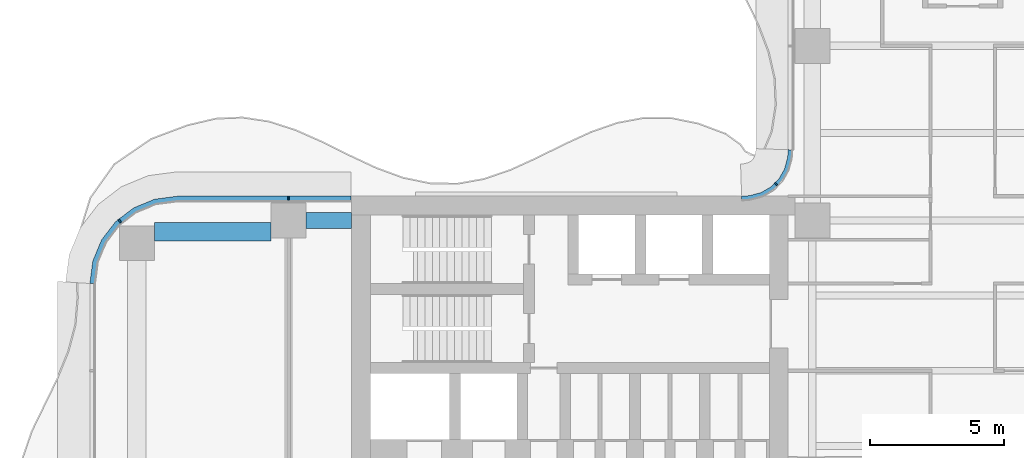
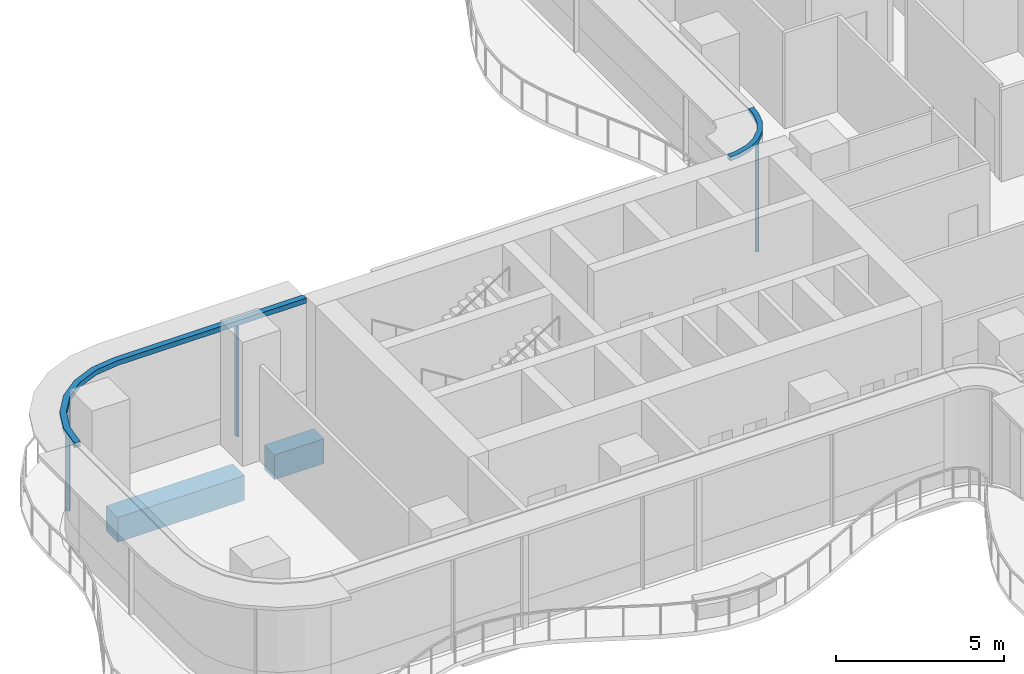
# One storey, part 8 of 23: 5 members, 2 beams, 2 elements without a shape of their own.
"""IFC4 building model written with IfcOpenShell, lengths in metres."""

from ifc_helpers import new_model, si_unit, direction, frame, origin, origin_2d, place, context, subcontext, project, spatial, polyline, rectangle, outline, extrude, source, transform, mapped, material, layer, layer_set, material_profile, profile_set, type_object, element, aggregate, save


model = new_model("IFC4")

# Units and contexts
model_context = context("Model", 3, precision=1e-05, world=origin(), true_north=direction((0.0, 1.0)))
body_context = subcontext(model_context, "Body", "Model", "MODEL_VIEW")
ifc_project = project(units=[si_unit("LENGTHUNIT", "METRE"), si_unit("AREAUNIT", "SQUARE_METRE"), si_unit("VOLUMEUNIT", "CUBIC_METRE"), si_unit("PLANEANGLEUNIT", "RADIAN"), si_unit("MASSUNIT", "GRAM", prefix="KILO")], contexts=[model_context])

# Site, building, storey
site_placement = place(None, origin())
site = spatial("IfcSite", under=ifc_project, at=site_placement, CompositionType="ELEMENT")
building_placement = place(site_placement, origin())
building = spatial("IfcBuilding", under=site, at=building_placement, Name="Trellis Farm Tower", CompositionType="ELEMENT")
storey_placement = place(building_placement, frame((0.0, 0.0, 111.0)))
storey = spatial("IfcBuildingStorey", under=building, at=storey_placement, Name="L23", CompositionType="ELEMENT", Elevation=111.0)

# Beams
ifc_material_1 = material(Name="Concrete C60/75", Category="concrete")
ifc_material_profile_1 = material_profile(ifc_material_1, rectangle(XDim=0.60009765625, YDim=0.89990234375, at=origin_2d()), Name="RC spandrel beam 600x900 C60/75")
ifc_profile_set_1 = profile_set([ifc_material_profile_1], Name="Concrete C60/75")
beam_type_1 = type_object("IfcBeamType", Name="RC spandrel beam 600x900 C60/75", PredefinedType="SPANDREL", material=ifc_profile_set_1)
shared_shape_1 = source(origin(), body_context, "Body", "SweptSolid", [
    extrude(rectangle(XDim=0.60009765625, YDim=0.89990234375, at=origin_2d()), origin(), (0.0, 0.0, 1.0), 1.699951171875),
])
beam_1_placement = place(storey_placement, frame((-24.449951171875, 5.60009765625, -0.699951171875), z_axis=(1.0, 0.0, 0.0), x_axis=(0.0, 1.0, 0.0)))
element("IfcBeam", 1, at=beam_1_placement, inside=storey, type_object=beam_type_1, Name="Girder", PredefinedType="SPANDREL", context=body_context, shape_type="MappedRepresentation", body=[
    mapped(shared_shape_1, transform((0.0, 0.0, 0.0))),
])
ifc_material_profile_2 = material_profile(ifc_material_1, rectangle(XDim=0.699951171875, YDim=0.89990234375, at=origin_2d()), Name="RC spandrel beam 700x900 C60/75")
ifc_profile_set_2 = profile_set([ifc_material_profile_2], Name="Concrete C60/75")
beam_type_2 = type_object("IfcBeamType", Name="RC spandrel beam 700x900 C60/75", PredefinedType="SPANDREL", material=ifc_profile_set_2)
shared_shape_2 = source(origin(), body_context, "Body", "SweptSolid", [
    extrude(rectangle(XDim=0.699951171875, YDim=0.89990234375, at=origin_2d()), origin(), (0.0, 0.0, 1.0), 4.35009765625),
])
beam_2_placement = place(storey_placement, frame((-30.10009765625, 5.175048828125, -0.699951171875), z_axis=(1.0, 0.0, 0.0), x_axis=(0.0, 1.0, 0.0)))
element("IfcBeam", 2, at=beam_2_placement, inside=storey, type_object=beam_type_2, Name="Girder", PredefinedType="SPANDREL", context=body_context, shape_type="MappedRepresentation", body=[
    mapped(shared_shape_2, transform((0.0, 0.0, 0.0))),
])

# Curtain wall, members
ifc_material_2 = material(Name="Aluminium and glass curtain wall", Category="aluminium")
ifc_layer_1 = layer(ifc_material_2, 0.18994140625)
ifc_layer_set_1 = layer_set([ifc_layer_1], Name="RIBBON CURTAIN WALL CW1")
curtain_wall_type_1 = type_object("IfcCurtainWallType", Name="RIBBON CURTAIN WALL CW1", PredefinedType="NOTDEFINED", material=ifc_layer_set_1)
placement = place(storey_placement, origin())
curtain_wall_1 = element("IfcCurtainWall", 3, at=placement, inside=storey, type_object=curtain_wall_type_1, Name="CW1 013", PredefinedType="NOTDEFINED")
ifc_material_3 = material(Name="Aluminium extrusion 6063-T6", Category="aluminium")
ifc_material_profile_3 = material_profile(ifc_material_3, rectangle(XDim=0.06005859375, YDim=0.14990234375, at=origin_2d()), Name="MULLION 60x150")
ifc_profile_set_3 = profile_set([ifc_material_profile_3], Name="Aluminium extrusion 6063-T6")
member_type_1 = type_object("IfcMemberType", Name="CW1 MULLION 60x150", PredefinedType="MULLION", material=ifc_profile_set_3)
shared_shape_3 = source(origin(), body_context, "Body", "SweptSolid", [
    extrude(rectangle(XDim=0.06005859375, YDim=0.14990234375, at=origin_2d()), origin(), (0.0, 0.0, 1.0), 4.070068359375),
])
member_1_placement = place(storey_placement, frame((-25.10009765625, 6.425048828125, 0.0), z_axis=(0.0, 0.0, 1.0), x_axis=(-1.0, 0.0, 0.0)))
member_1 = element("IfcMember", 4, at=member_1_placement, type_object=member_type_1, Name="MU1 013-01", PredefinedType="MULLION", context=body_context, shape_type="MappedRepresentation", body=[
    mapped(shared_shape_3, transform((0.0, 0.0, 0.0))),
])
member_2_placement = place(storey_placement, frame((-31.385498046875, 5.578369140625, 0.0), z_axis=(0.0, 0.0, 1.0), x_axis=(-0.793353340291, -0.608761429009, 0.0)))
member_2 = element("IfcMember", 5, at=member_2_placement, type_object=member_type_1, Name="MU1 013-02", PredefinedType="MULLION", context=body_context, shape_type="MappedRepresentation", body=[
    mapped(shared_shape_3, transform((0.0, 0.0, 0.0))),
])

ifc_layer_2 = layer(ifc_material_2, 0.166015625)
ifc_layer_set_2 = layer_set([ifc_layer_2], Name="WINTER GARDEN CURTAIN WALL CW3")
curtain_wall_type_2 = type_object("IfcCurtainWallType", Name="WINTER GARDEN CURTAIN WALL CW3", PredefinedType="NOTDEFINED", material=ifc_layer_set_2)
curtain_wall_2 = element("IfcCurtainWall", 6, at=placement, inside=storey, type_object=curtain_wall_type_2, Name="CW3 004", PredefinedType="NOTDEFINED")
ifc_material_profile_4 = material_profile(ifc_material_3, rectangle(XDim=0.050048828125, YDim=0.1201171875, at=origin_2d()), Name="MULLION 50x120")
ifc_profile_set_4 = profile_set([ifc_material_profile_4], Name="Aluminium extrusion 6063-T6")
member_type_2 = type_object("IfcMemberType", Name="CW3 MULLION 50x120", PredefinedType="MULLION", material=ifc_profile_set_4)
shared_shape_4 = source(origin(), body_context, "Body", "SweptSolid", [
    extrude(rectangle(XDim=0.050048828125, YDim=0.1201171875, at=origin_2d()), origin(), (0.0, 0.0, 1.0), 4.10009765625),
])
member_3_placement = place(storey_placement, frame((-6.953125, 6.953125, 0.0), z_axis=(0.0, 0.0, 1.0), x_axis=(-0.707106781187, -0.707106781187, 0.0)))
member_3 = element("IfcMember", 7, at=member_3_placement, type_object=member_type_2, Name="MU3 004-01", PredefinedType="MULLION", context=body_context, shape_type="MappedRepresentation", body=[
    mapped(shared_shape_4, transform((0.0, 0.0, 0.0))),
])
ifc_layer_3 = layer(ifc_material_3, 0.169921875)
ifc_layer_set_3 = layer_set([ifc_layer_3], Name="Aluminium extrusion 6063-T6")
member_type_3 = type_object("IfcMemberType", Name="CW3 TRANSOM 170x150", PredefinedType="USERDEFINED", material=ifc_layer_set_3)
shared_shape_5 = source(origin(), body_context, "Body", "SweptSolid", [
    extrude(outline(polyline([(-6.5, 8.2314453125), (-6.513916015625, 8.01953125), (-6.527587890625, 7.91552734375), (-6.63671875, 7.508544921875), (-6.846923828125, 7.144287109375), (-7.144287109375, 6.846923828125), (-7.508544921875, 6.63671875), (-7.91552734375, 6.527587890625), (-8.01953125, 6.513916015625), (-8.2314453125, 6.5), (-8.225830078125, 6.330078125), (-8.0029296875, 6.3447265625), (-7.88232421875, 6.360595703125), (-7.44287109375, 6.478271484375), (-7.0400390625, 6.7109375), (-6.7109375, 7.0400390625), (-6.478271484375, 7.44287109375), (-6.360595703125, 7.88232421875), (-6.3447265625, 8.0029296875), (-6.330078125, 8.225830078125), (-6.5, 8.2314453125)])), origin(), (0.0, 0.0, 1.0), 0.14990234375),
])
member_4_placement = place(storey_placement, frame((0.0, 0.0, 4.10009765625)))
member_4 = element("IfcMember", 8, at=member_4_placement, type_object=member_type_3, Name="TR3 004", ObjectType="TRANSOM", PredefinedType="USERDEFINED", context=body_context, shape_type="MappedRepresentation", body=[
    mapped(shared_shape_5, transform((0.0, 0.0, 0.0))),
])
aggregate(curtain_wall_2, [member_3, member_4])

# Member
ifc_layer_4 = layer(ifc_material_3, 0.199951171875)
ifc_layer_set_4 = layer_set([ifc_layer_4], Name="Aluminium extrusion 6063-T6")
member_type_4 = type_object("IfcMemberType", Name="CW1 TRANSOM 200x180", PredefinedType="USERDEFINED", material=ifc_layer_set_4)
shared_shape_6 = source(origin(), body_context, "Body", "SweptSolid", [
    extrude(outline(polyline([(-22.780029296875, 6.5), (-29.25, 6.5), (-30.091064453125, 6.38916015625), (-30.875, 6.064697265625), (-31.548095703125, 5.548095703125), (-32.064697265625, 4.875), (-32.38916015625, 4.091064453125), (-32.5, 3.25), (-32.300048828125, 3.23681640625), (-32.1943359375, 4.0390625), (-31.889892578125, 4.774169921875), (-31.405517578125, 5.405517578125), (-30.774169921875, 5.889892578125), (-30.0390625, 6.1943359375), (-29.23681640625, 6.300048828125), (-22.780029296875, 6.300048828125), (-22.780029296875, 6.5)])), origin(), (0.0, 0.0, 1.0), 0.179931640625),
])
member_5_placement = place(storey_placement, frame((0.0, 0.0, 4.070068359375)))
member_5 = element("IfcMember", 9, at=member_5_placement, type_object=member_type_4, Name="TR1 013", ObjectType="TRANSOM", PredefinedType="USERDEFINED", context=body_context, shape_type="MappedRepresentation", body=[
    mapped(shared_shape_6, transform((0.0, 0.0, 0.0))),
])

aggregate(curtain_wall_1, [member_1, member_2, member_5])

save(model, "model.ifc")
